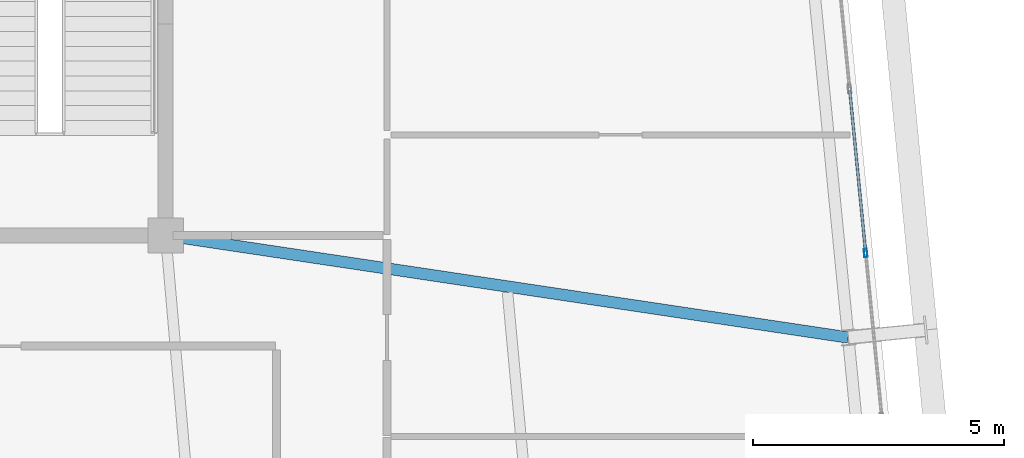
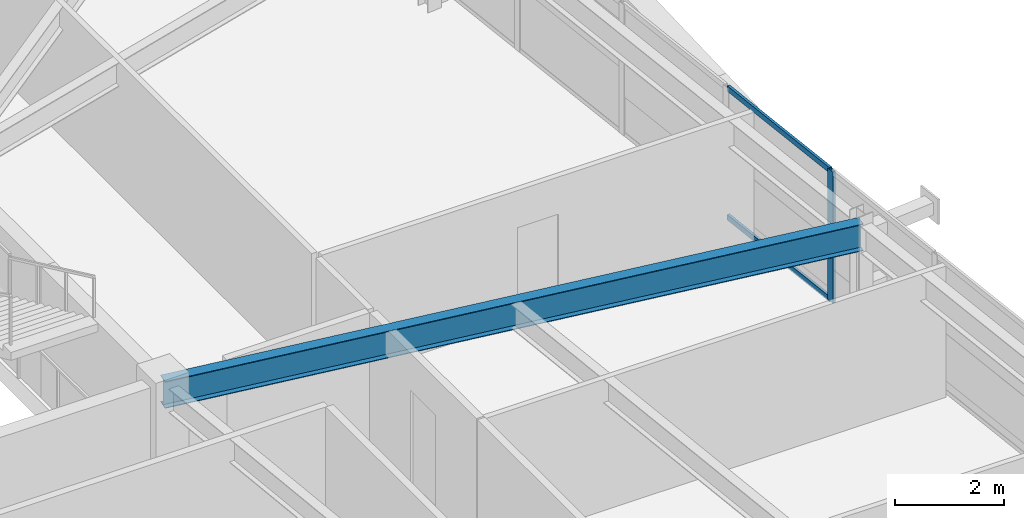
# One storey, part 25 of 51: 3 members, 1 beam, 1 element without a shape of its own.
"""IFC4 building model written with IfcOpenShell, lengths in metres."""

from ifc_helpers import new_model, si_unit, direction, frame, origin, origin_2d, place, context, subcontext, project, spatial, hollow_rectangle, i_section, extrude, source, transform, mapped, material, layer, layer_set, material_profile, profile_set, type_object, element, aggregate, save


model = new_model("IFC4")

# Units and contexts
model_context = context("Model", 3, precision=1e-05, world=origin(), true_north=direction((0.0, 1.0)))
body_context = subcontext(model_context, "Body", "Model", "MODEL_VIEW")
ifc_project = project(units=[si_unit("LENGTHUNIT", "METRE"), si_unit("AREAUNIT", "SQUARE_METRE"), si_unit("VOLUMEUNIT", "CUBIC_METRE"), si_unit("PLANEANGLEUNIT", "RADIAN"), si_unit("MASSUNIT", "GRAM", prefix="KILO")], contexts=[model_context])

# Site, building, storey
site_placement = place(None, origin())
site = spatial("IfcSite", under=ifc_project, at=site_placement, CompositionType="ELEMENT")
building_placement = place(site_placement, origin())
building = spatial("IfcBuilding", under=site, at=building_placement, Name="Taldren Reach Tower", CompositionType="ELEMENT")
storey_placement = place(building_placement, frame((0.0, 0.0, 65.10009765625)))
storey = spatial("IfcBuildingStorey", under=building, at=storey_placement, Name="L19", CompositionType="ELEMENT", Elevation=65.10009765625)

# Beam
ifc_material_1 = material(Name="Steel Gr 350 (350PLUS)", Category="steel")
ifc_material_profile_1 = material_profile(ifc_material_1, i_section(OverallWidth=0.22802734375, OverallDepth=0.60205078125, WebThickness=0.010498046875, FlangeThickness=0.014892578125, at=origin_2d()), Name="610UB101")
ifc_profile_set_1 = profile_set([ifc_material_profile_1], Name="Steel Gr 350 (350PLUS)")
beam_type = type_object("IfcBeamType", Name="BM-UB610B", PredefinedType="BEAM", material=ifc_profile_set_1)
shared_shape_1 = source(origin(), body_context, "Body", "SweptSolid", [
    extrude(i_section(OverallWidth=0.22802734375, OverallDepth=0.60205078125, WebThickness=0.010498046875, FlangeThickness=0.014892578125, at=origin_2d()), origin(), (0.0, 0.0, 1.0), 13.720703125),
])
beam_placement = place(storey_placement, frame((51.0, 24.0, 2.62890625), z_axis=(0.988983679407, -0.148024598856, 0.0), x_axis=(0.148024598856, 0.988983679407, 0.0)))
element("IfcBeam", 1, at=beam_placement, inside=storey, type_object=beam_type, Name="Primary floor girder B2-E2 L19", PredefinedType="BEAM", context=body_context, shape_type="MappedRepresentation", body=[
    mapped(shared_shape_1, transform((0.0, 0.0, 0.0), scale=1.0)),
])

# Curtain wall, members
ifc_material_2 = material(Name="Aluminium and Low-E Glass Unitised System", Category="aluminium")
ifc_layer = layer(ifc_material_2, 0.159912109375)
ifc_layer_set = layer_set([ifc_layer], Name="Aluminium and Low-E Glass Unitised System")
curtain_wall_type = type_object("IfcCurtainWallType", Name="CW-SYS-3", PredefinedType="NOTDEFINED", material=ifc_layer_set)
curtain_wall_placement = place(storey_placement, origin())
curtain_wall = element("IfcCurtainWall", 2, at=curtain_wall_placement, inside=storey, type_object=curtain_wall_type, Name="Unitised curtain wall CW-L19-E", PredefinedType="NOTDEFINED")
ifc_material_3 = material(Name="Anodised Aluminium 6063-T6", Category="aluminium")
ifc_material_profile_2 = material_profile(ifc_material_3, hollow_rectangle(XDim=0.06494140625, YDim=0.1650390625, WallThickness=0.00390625, at=origin_2d()), Name="ALU-165x65x4RHS")
ifc_profile_set_2 = profile_set([ifc_material_profile_2], Name="Anodised Aluminium 6063-T6")
member_type_1 = type_object("IfcMemberType", Name="CW-MUL-165", PredefinedType="MULLION", material=ifc_profile_set_2)
shared_shape_2 = source(origin(), body_context, "Body", "SweptSolid", [
    extrude(hollow_rectangle(XDim=0.06494140625, YDim=0.1650390625, WallThickness=0.00390625, at=origin_2d()), origin(), (0.0, 0.0, 1.0), 2.929931640625),
])
member_1_placement = place(storey_placement, frame((64.9169921875, 23.649658203125, 0.0), z_axis=(0.0, 0.0, 1.0), x_axis=(-0.99522741555, -0.09758274098, 0.0)))
member_1 = element("IfcMember", 3, at=member_1_placement, type_object=member_type_1, Name="CW-3 mullion 6", PredefinedType="MULLION", context=body_context, shape_type="MappedRepresentation", body=[
    mapped(shared_shape_2, transform((0.0, 0.0, 0.0), scale=1.0)),
])
ifc_material_profile_3 = material_profile(ifc_material_3, hollow_rectangle(XDim=0.054931640625, YDim=0.1201171875, WallThickness=0.0029296875, at=origin_2d()), Name="ALU-120x55x3RHS")
ifc_profile_set_3 = profile_set([ifc_material_profile_3], Name="Anodised Aluminium 6063-T6")
member_type_2 = type_object("IfcMemberType", Name="CW-TRN-135", PredefinedType="USERDEFINED", material=ifc_profile_set_3)
shared_shape_3 = source(origin(), body_context, "Body", "SweptSolid", [
    extrude(hollow_rectangle(XDim=0.054931640625, YDim=0.1201171875, WallThickness=0.0029296875, at=origin_2d()), origin(), (0.0, 0.0, 1.0), 3.212646484375),
])
member_2_placement = place(storey_placement, frame((64.913818359375, 23.68212890625, 0.02734375), z_axis=(-0.097577327663, 0.995227946315, 0.0), x_axis=(-0.995227946315, -0.097577327663, 0.0)))
member_2 = element("IfcMember", 4, at=member_2_placement, type_object=member_type_2, Name="CW-3 transom 6.1", ObjectType="TRANSOM", PredefinedType="USERDEFINED", context=body_context, shape_type="MappedRepresentation", body=[
    mapped(shared_shape_3, transform((0.0, 0.0, 0.0), scale=1.0)),
])
member_3_placement = place(storey_placement, frame((64.913818359375, 23.68212890625, 2.90234375), z_axis=(-0.097577327663, 0.995227946315, 0.0), x_axis=(-0.995227946315, -0.097577327663, 0.0)))
member_3 = element("IfcMember", 5, at=member_3_placement, type_object=member_type_2, Name="CW-3 transom 6.2", ObjectType="TRANSOM", PredefinedType="USERDEFINED", context=body_context, shape_type="MappedRepresentation", body=[
    mapped(shared_shape_3, transform((0.0, 0.0, 0.0), scale=1.0)),
])
aggregate(curtain_wall, [member_1, member_2, member_3])

save(model, "model.ifc")
